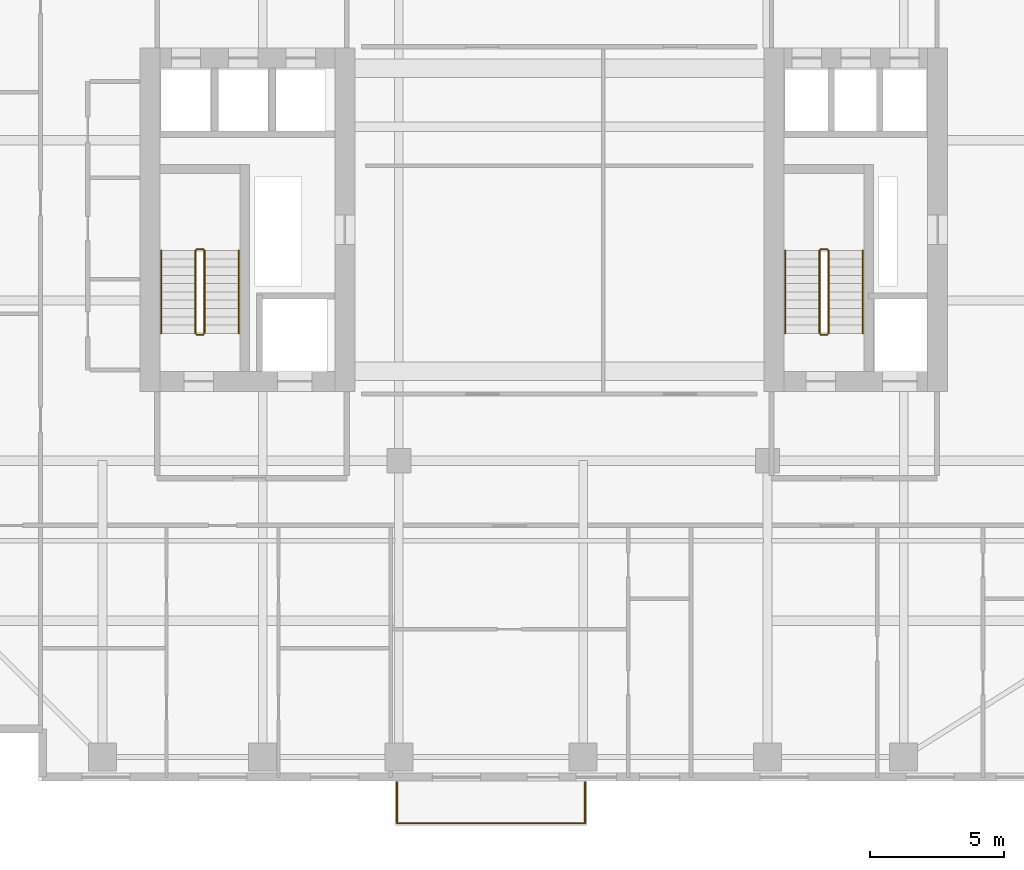
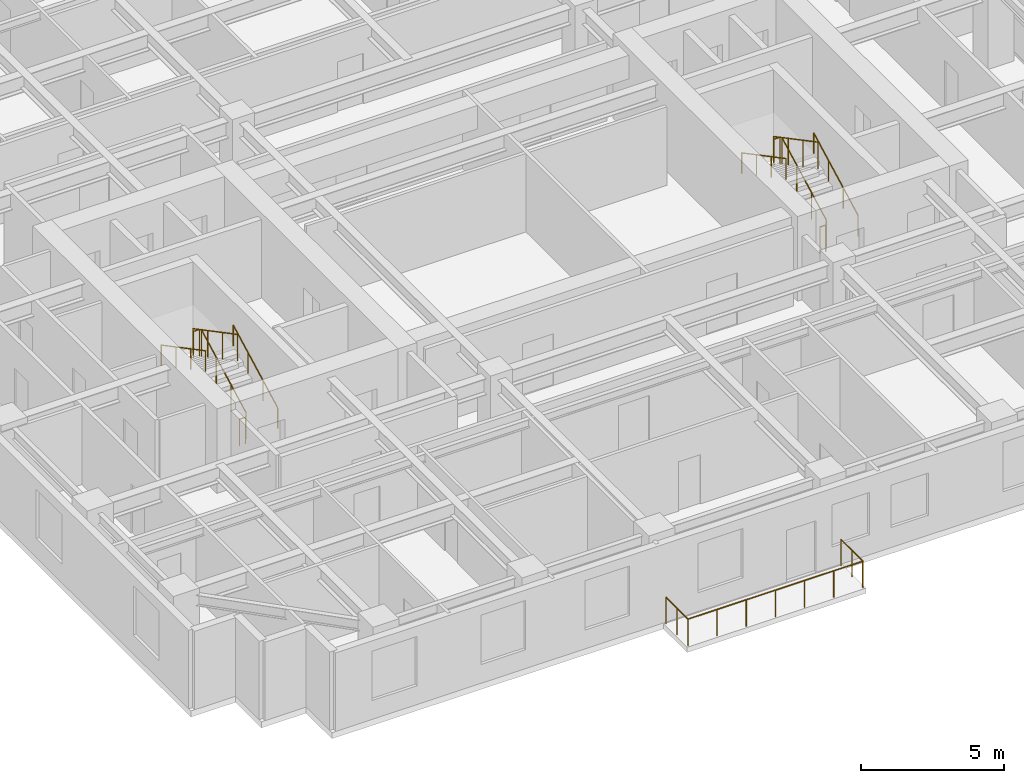
# One storey, part 12 of 13: 13 railings.
"""IFC4 building model written with IfcOpenShell, lengths in metres."""

from ifc_helpers import new_model, si_unit, direction, frame, origin, origin_2d, place, context, subcontext, project, spatial, circle, extrude, material, type_object, element, save


model = new_model("IFC4")

# Units and contexts
model_context = context("Model", 3, precision=1e-05, world=origin(), true_north=direction((0.0, 1.0)))
body_context = subcontext(model_context, "Body", "Model", "MODEL_VIEW")
ifc_project = project(units=[si_unit("LENGTHUNIT", "METRE"), si_unit("AREAUNIT", "SQUARE_METRE"), si_unit("VOLUMEUNIT", "CUBIC_METRE"), si_unit("PLANEANGLEUNIT", "RADIAN"), si_unit("MASSUNIT", "GRAM", prefix="KILO")], contexts=[model_context])

# Site, building, storey
site_placement = place(None, origin())
site = spatial("IfcSite", under=ifc_project, at=site_placement, CompositionType="ELEMENT")
building_placement = place(site_placement, origin())
building = spatial("IfcBuilding", under=site, at=building_placement, Name="Khoralis Quay Care Tower", CompositionType="ELEMENT")
storey_placement = place(building_placement, frame((0.0, 0.0, 87.300048828125)))
storey = spatial("IfcBuildingStorey", under=building, at=storey_placement, Name="L22", CompositionType="ELEMENT", Elevation=87.300048828125)

# Railings
ifc_material_1 = material(Name="Pale anodised aluminium", Category="aluminium")
railing_type_1 = type_object("IfcRailingType", Name="RL-BALUST-1150", PredefinedType="BALUSTRADE", material=ifc_material_1)
railing_1_placement = place(storey_placement, frame((17.030029296875, -0.0400390625, -0.0400390625)))
element("IfcRailing", 1, at=railing_1_placement, inside=storey, type_object=railing_type_1, Name="L22 Senior Loggia Balcony Guard", PredefinedType="BALUSTRADE", context=body_context, shape_type="SweptSolid", body=[
    extrude(circle(Radius=0.02392578125, at=origin_2d()), frame((0.0, 0.0, 1.1259765625), z_axis=(0.0, -1.0, 0.0), x_axis=(1.0, 0.0, 0.0)), (0.0, 0.0, 1.0), 1.530029296875),
    extrude(circle(Radius=0.02392578125, at=origin_2d()), frame((0.0, -1.530029296875, 1.1259765625), z_axis=(1.0, 0.0, 0.0), x_axis=(0.0, 1.0, 0.0)), (0.0, 0.0, 1.0), 7.0400390625),
    extrude(circle(Radius=0.02392578125, at=origin_2d()), frame((7.0400390625, -1.530029296875, 1.1259765625), z_axis=(0.0, 1.0, 0.0), x_axis=(-1.0, 0.0, 0.0)), (0.0, 0.0, 1.0), 1.530029296875),
    extrude(circle(Radius=0.02099609375, at=origin_2d()), origin(), (0.0, 0.0, 1.0), 1.101806640625),
    extrude(circle(Radius=0.02099609375, at=origin_2d()), frame((0.0, -0.76513671875, 0.0)), (0.0, 0.0, 1.0), 1.101806640625),
    extrude(circle(Radius=0.02099609375, at=origin_2d()), frame((0.0, -1.530029296875, 0.0)), (0.0, 0.0, 1.0), 1.101806640625),
    extrude(circle(Radius=0.02099609375, at=origin_2d()), frame((1.17333984375, -1.530029296875, 0.0)), (0.0, 0.0, 1.0), 1.101806640625),
    extrude(circle(Radius=0.02099609375, at=origin_2d()), frame((2.3466796875, -1.530029296875, 0.0)), (0.0, 0.0, 1.0), 1.101806640625),
    extrude(circle(Radius=0.02099609375, at=origin_2d()), frame((3.52001953125, -1.530029296875, 0.0)), (0.0, 0.0, 1.0), 1.101806640625),
    extrude(circle(Radius=0.02099609375, at=origin_2d()), frame((4.693359375, -1.530029296875, 0.0)), (0.0, 0.0, 1.0), 1.101806640625),
    extrude(circle(Radius=0.02099609375, at=origin_2d()), frame((5.86669921875, -1.530029296875, 0.0)), (0.0, 0.0, 1.0), 1.101806640625),
    extrude(circle(Radius=0.02099609375, at=origin_2d()), frame((7.0400390625, -1.530029296875, 0.0)), (0.0, 0.0, 1.0), 1.101806640625),
    extrude(circle(Radius=0.02099609375, at=origin_2d()), frame((7.0400390625, -0.76513671875, 0.0)), (0.0, 0.0, 1.0), 1.101806640625),
    extrude(circle(Radius=0.02099609375, at=origin_2d()), frame((7.0400390625, 0.0, 0.0)), (0.0, 0.0, 1.0), 1.101806640625),
])
ifc_material_2 = material(Name="Brushed stainless steel", Category="steel")
railing_type_2 = type_object("IfcRailingType", Name="RL-GUARD-1150", PredefinedType="GUARDRAIL", material=ifc_material_2)
railing_2_placement = place(storey_placement, frame((9.820068359375, 16.77001953125, 0.16357421875)))
element("IfcRailing", 2, at=railing_2_placement, inside=storey, type_object=railing_type_2, Name="L22 ST-T1 stair guard 1", PredefinedType="GUARDRAIL", context=body_context, shape_type="SweptSolid", body=[
    extrude(circle(Radius=0.02392578125, at=origin_2d()), frame((0.0, 0.0, 1.1259765625), z_axis=(0.0, 0.884348015382, 0.466828220752), x_axis=(-1.0, 0.0, 0.0)), (0.0, 0.0, 1.0), 3.505615234375),
    extrude(circle(Radius=0.02099609375, at=origin_2d()), origin(), (0.0, 0.0, 1.0), 1.101806640625),
    extrude(circle(Radius=0.02099609375, at=origin_2d()), frame((0.0, 1.033447265625, 0.54541015625)), (0.0, 0.0, 1.0), 1.101806640625),
    extrude(circle(Radius=0.02099609375, at=origin_2d()), frame((0.0, 2.066650390625, 1.091064453125)), (0.0, 0.0, 1.0), 1.101806640625),
    extrude(circle(Radius=0.02099609375, at=origin_2d()), frame((0.0, 3.10009765625, 1.636474609375)), (0.0, 0.0, 1.0), 1.101806640625),
])
railing_3_placement = place(storey_placement, frame((9.77001953125, 19.919921875, 1.800048828125)))
element("IfcRailing", 3, at=railing_3_placement, inside=storey, type_object=railing_type_2, Name="L22 ST-T1 stair guard 2", PredefinedType="GUARDRAIL", context=body_context, shape_type="SweptSolid", body=[
    extrude(circle(Radius=0.02392578125, at=origin_2d()), frame((0.0, 0.0, 1.1259765625), z_axis=(-1.0, 0.0, 0.0), x_axis=(0.0, -1.0, 0.0)), (0.0, 0.0, 1.0), 0.239990234375),
    extrude(circle(Radius=0.02099609375, at=origin_2d()), origin(), (0.0, 0.0, 1.0), 1.101806640625),
    extrude(circle(Radius=0.02099609375, at=origin_2d()), frame((-0.239990234375, 0.0, 0.0)), (0.0, 0.0, 1.0), 1.101806640625),
])
railing_4_placement = place(storey_placement, frame((9.47998046875, 19.8701171875, 1.963623046875)))
element("IfcRailing", 4, at=railing_4_placement, inside=storey, type_object=railing_type_2, Name="L22 ST-T1 stair guard 3", PredefinedType="GUARDRAIL", context=body_context, shape_type="SweptSolid", body=[
    extrude(circle(Radius=0.02392578125, at=origin_2d()), frame((0.0, 0.0, 1.1259765625), z_axis=(0.0, -0.884376766648, 0.46677375099), x_axis=(1.0, 0.0, 0.0)), (0.0, 0.0, 1.0), 3.50537109375),
    extrude(circle(Radius=0.02099609375, at=origin_2d()), origin(), (0.0, 0.0, 1.0), 1.101806640625),
    extrude(circle(Radius=0.02099609375, at=origin_2d()), frame((0.0, -1.033447265625, 0.54541015625)), (0.0, 0.0, 1.0), 1.101806640625),
    extrude(circle(Radius=0.02099609375, at=origin_2d()), frame((0.0, -2.066650390625, 1.0908203125)), (0.0, 0.0, 1.0), 1.101806640625),
    extrude(circle(Radius=0.02099609375, at=origin_2d()), frame((0.0, -3.10009765625, 1.63623046875)), (0.0, 0.0, 1.0), 1.101806640625),
])
railing_5_placement = place(storey_placement, frame((9.77001953125, 16.719970703125, 0.0)))
element("IfcRailing", 5, at=railing_5_placement, inside=storey, type_object=railing_type_2, Name="L22 ST-T1 stair guard 4", PredefinedType="GUARDRAIL", context=body_context, shape_type="SweptSolid", body=[
    extrude(circle(Radius=0.02392578125, at=origin_2d()), frame((0.0, 0.0, 1.1259765625), z_axis=(-1.0, 0.0, 0.0), x_axis=(0.0, -1.0, 0.0)), (0.0, 0.0, 1.0), 0.239990234375),
    extrude(circle(Radius=0.02099609375, at=origin_2d()), origin(), (0.0, 0.0, 1.0), 1.101806640625),
    extrude(circle(Radius=0.02099609375, at=origin_2d()), frame((-0.239990234375, 0.0, 0.0)), (0.0, 0.0, 1.0), 1.101806640625),
])
railing_6_placement = place(storey_placement, frame((33.18994140625, 16.77001953125, 0.16357421875)))
element("IfcRailing", 6, at=railing_6_placement, inside=storey, type_object=railing_type_2, Name="L22 ST-T2 stair guard 1", PredefinedType="GUARDRAIL", context=body_context, shape_type="SweptSolid", body=[
    extrude(circle(Radius=0.02392578125, at=origin_2d()), frame((0.0, 0.0, 1.1259765625), z_axis=(0.0, 0.884348015382, 0.466828220752), x_axis=(-1.0, 0.0, 0.0)), (0.0, 0.0, 1.0), 3.505615234375),
    extrude(circle(Radius=0.02099609375, at=origin_2d()), origin(), (0.0, 0.0, 1.0), 1.101806640625),
    extrude(circle(Radius=0.02099609375, at=origin_2d()), frame((0.0, 1.033447265625, 0.54541015625)), (0.0, 0.0, 1.0), 1.101806640625),
    extrude(circle(Radius=0.02099609375, at=origin_2d()), frame((0.0, 2.066650390625, 1.091064453125)), (0.0, 0.0, 1.0), 1.101806640625),
    extrude(circle(Radius=0.02099609375, at=origin_2d()), frame((0.0, 3.10009765625, 1.636474609375)), (0.0, 0.0, 1.0), 1.101806640625),
])
railing_7_placement = place(storey_placement, frame((33.139892578125, 19.919921875, 1.800048828125)))
element("IfcRailing", 7, at=railing_7_placement, inside=storey, type_object=railing_type_2, Name="L22 ST-T2 stair guard 2", PredefinedType="GUARDRAIL", context=body_context, shape_type="SweptSolid", body=[
    extrude(circle(Radius=0.02392578125, at=origin_2d()), frame((0.0, 0.0, 1.1259765625), z_axis=(-1.0, 0.0, 0.0), x_axis=(0.0, -1.0, 0.0)), (0.0, 0.0, 1.0), 0.239990234375),
    extrude(circle(Radius=0.02099609375, at=origin_2d()), origin(), (0.0, 0.0, 1.0), 1.101806640625),
    extrude(circle(Radius=0.02099609375, at=origin_2d()), frame((-0.239990234375, 0.0, 0.0)), (0.0, 0.0, 1.0), 1.101806640625),
])
railing_8_placement = place(storey_placement, frame((32.85009765625, 19.8701171875, 1.963623046875)))
element("IfcRailing", 8, at=railing_8_placement, inside=storey, type_object=railing_type_2, Name="L22 ST-T2 stair guard 3", PredefinedType="GUARDRAIL", context=body_context, shape_type="SweptSolid", body=[
    extrude(circle(Radius=0.02392578125, at=origin_2d()), frame((0.0, 0.0, 1.1259765625), z_axis=(0.0, -0.884376766648, 0.46677375099), x_axis=(1.0, 0.0, 0.0)), (0.0, 0.0, 1.0), 3.50537109375),
    extrude(circle(Radius=0.02099609375, at=origin_2d()), origin(), (0.0, 0.0, 1.0), 1.101806640625),
    extrude(circle(Radius=0.02099609375, at=origin_2d()), frame((0.0, -1.033447265625, 0.54541015625)), (0.0, 0.0, 1.0), 1.101806640625),
    extrude(circle(Radius=0.02099609375, at=origin_2d()), frame((0.0, -2.066650390625, 1.0908203125)), (0.0, 0.0, 1.0), 1.101806640625),
    extrude(circle(Radius=0.02099609375, at=origin_2d()), frame((0.0, -3.10009765625, 1.63623046875)), (0.0, 0.0, 1.0), 1.101806640625),
])
railing_9_placement = place(storey_placement, frame((33.139892578125, 16.719970703125, 0.0)))
element("IfcRailing", 9, at=railing_9_placement, inside=storey, type_object=railing_type_2, Name="L22 ST-T2 stair guard 4", PredefinedType="GUARDRAIL", context=body_context, shape_type="SweptSolid", body=[
    extrude(circle(Radius=0.02392578125, at=origin_2d()), frame((0.0, 0.0, 1.1259765625), z_axis=(-1.0, 0.0, 0.0), x_axis=(0.0, -1.0, 0.0)), (0.0, 0.0, 1.0), 0.239990234375),
    extrude(circle(Radius=0.02099609375, at=origin_2d()), origin(), (0.0, 0.0, 1.0), 1.101806640625),
    extrude(circle(Radius=0.02099609375, at=origin_2d()), frame((-0.239990234375, 0.0, 0.0)), (0.0, 0.0, 1.0), 1.101806640625),
])
railing_type_3 = type_object("IfcRailingType", Name="RL-HAND-900", PredefinedType="HANDRAIL", material=ifc_material_2)
railing_10_placement = place(storey_placement, frame((11.10009765625, 16.77001953125, 0.16357421875)))
element("IfcRailing", 10, at=railing_10_placement, inside=storey, type_object=railing_type_3, Name="L22 ST-T1 stair handrail 1", PredefinedType="HANDRAIL", context=body_context, shape_type="SweptSolid", body=[
    extrude(circle(Radius=0.02392578125, at=origin_2d()), frame((0.0, 0.0, 0.8759765625), z_axis=(0.0, 0.884348015382, 0.466828220752), x_axis=(-1.0, 0.0, 0.0)), (0.0, 0.0, 1.0), 3.505615234375),
    extrude(circle(Radius=0.02099609375, at=origin_2d()), origin(), (0.0, 0.0, 1.0), 0.851806640625),
    extrude(circle(Radius=0.02099609375, at=origin_2d()), frame((0.0, 1.033447265625, 0.54541015625)), (0.0, 0.0, 1.0), 0.851806640625),
    extrude(circle(Radius=0.02099609375, at=origin_2d()), frame((0.0, 2.066650390625, 1.091064453125)), (0.0, 0.0, 1.0), 0.851806640625),
    extrude(circle(Radius=0.02099609375, at=origin_2d()), frame((0.0, 3.10009765625, 1.636474609375)), (0.0, 0.0, 1.0), 0.851806640625),
])
railing_11_placement = place(storey_placement, frame((8.199951171875, 19.8701171875, 1.963623046875)))
element("IfcRailing", 11, at=railing_11_placement, inside=storey, type_object=railing_type_3, Name="L22 ST-T1 stair handrail 2", PredefinedType="HANDRAIL", context=body_context, shape_type="SweptSolid", body=[
    extrude(circle(Radius=0.02392578125, at=origin_2d()), frame((0.0, 0.0, 0.8759765625), z_axis=(0.0, -0.884376766648, 0.46677375099), x_axis=(1.0, 0.0, 0.0)), (0.0, 0.0, 1.0), 3.50537109375),
    extrude(circle(Radius=0.02099609375, at=origin_2d()), origin(), (0.0, 0.0, 1.0), 0.851806640625),
    extrude(circle(Radius=0.02099609375, at=origin_2d()), frame((0.0, -1.033447265625, 0.54541015625)), (0.0, 0.0, 1.0), 0.851806640625),
    extrude(circle(Radius=0.02099609375, at=origin_2d()), frame((0.0, -2.066650390625, 1.0908203125)), (0.0, 0.0, 1.0), 0.851806640625),
    extrude(circle(Radius=0.02099609375, at=origin_2d()), frame((0.0, -3.10009765625, 1.63623046875)), (0.0, 0.0, 1.0), 0.851806640625),
])
railing_12_placement = place(storey_placement, frame((34.469970703125, 16.77001953125, 0.16357421875)))
element("IfcRailing", 12, at=railing_12_placement, inside=storey, type_object=railing_type_3, Name="L22 ST-T2 stair handrail 1", PredefinedType="HANDRAIL", context=body_context, shape_type="SweptSolid", body=[
    extrude(circle(Radius=0.02392578125, at=origin_2d()), frame((0.0, 0.0, 0.8759765625), z_axis=(0.0, 0.884348015382, 0.466828220752), x_axis=(-1.0, 0.0, 0.0)), (0.0, 0.0, 1.0), 3.505615234375),
    extrude(circle(Radius=0.02099609375, at=origin_2d()), origin(), (0.0, 0.0, 1.0), 0.851806640625),
    extrude(circle(Radius=0.02099609375, at=origin_2d()), frame((0.0, 1.033447265625, 0.54541015625)), (0.0, 0.0, 1.0), 0.851806640625),
    extrude(circle(Radius=0.02099609375, at=origin_2d()), frame((0.0, 2.066650390625, 1.091064453125)), (0.0, 0.0, 1.0), 0.851806640625),
    extrude(circle(Radius=0.02099609375, at=origin_2d()), frame((0.0, 3.10009765625, 1.636474609375)), (0.0, 0.0, 1.0), 0.851806640625),
])
railing_13_placement = place(storey_placement, frame((31.570068359375, 19.8701171875, 1.963623046875)))
element("IfcRailing", 13, at=railing_13_placement, inside=storey, type_object=railing_type_3, Name="L22 ST-T2 stair handrail 2", PredefinedType="HANDRAIL", context=body_context, shape_type="SweptSolid", body=[
    extrude(circle(Radius=0.02392578125, at=origin_2d()), frame((0.0, 0.0, 0.8759765625), z_axis=(0.0, -0.884376766648, 0.46677375099), x_axis=(1.0, 0.0, 0.0)), (0.0, 0.0, 1.0), 3.50537109375),
    extrude(circle(Radius=0.02099609375, at=origin_2d()), origin(), (0.0, 0.0, 1.0), 0.851806640625),
    extrude(circle(Radius=0.02099609375, at=origin_2d()), frame((0.0, -1.033447265625, 0.54541015625)), (0.0, 0.0, 1.0), 0.851806640625),
    extrude(circle(Radius=0.02099609375, at=origin_2d()), frame((0.0, -2.066650390625, 1.0908203125)), (0.0, 0.0, 1.0), 0.851806640625),
    extrude(circle(Radius=0.02099609375, at=origin_2d()), frame((0.0, -3.10009765625, 1.63623046875)), (0.0, 0.0, 1.0), 0.851806640625),
])

save(model, "model.ifc")
